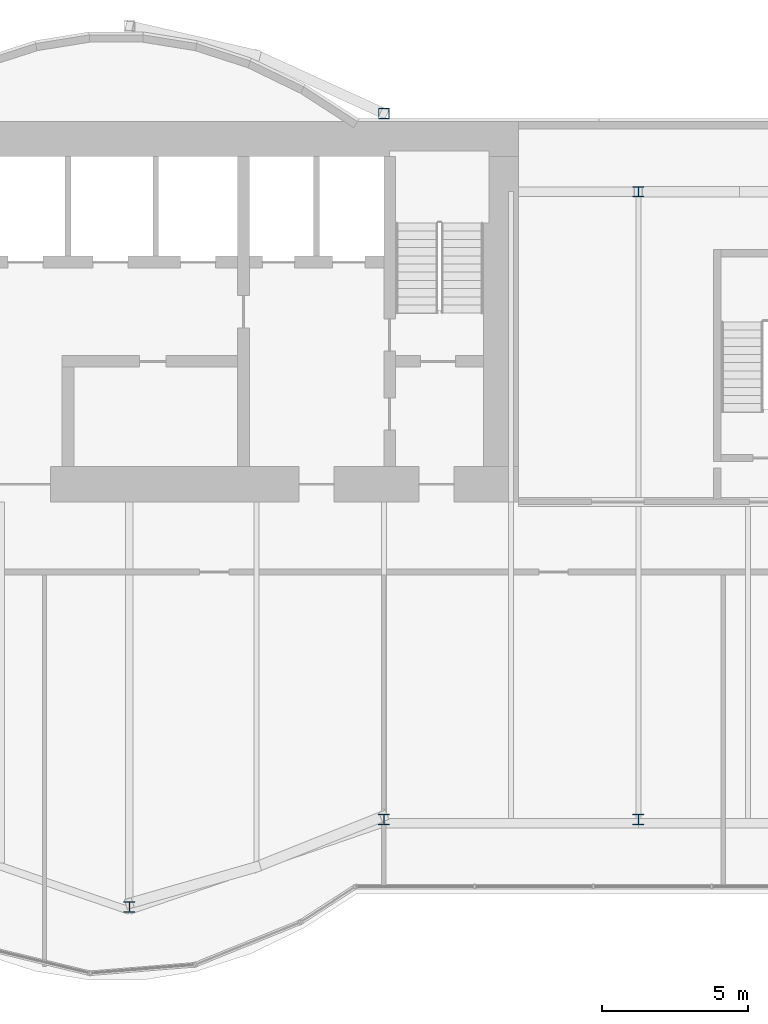
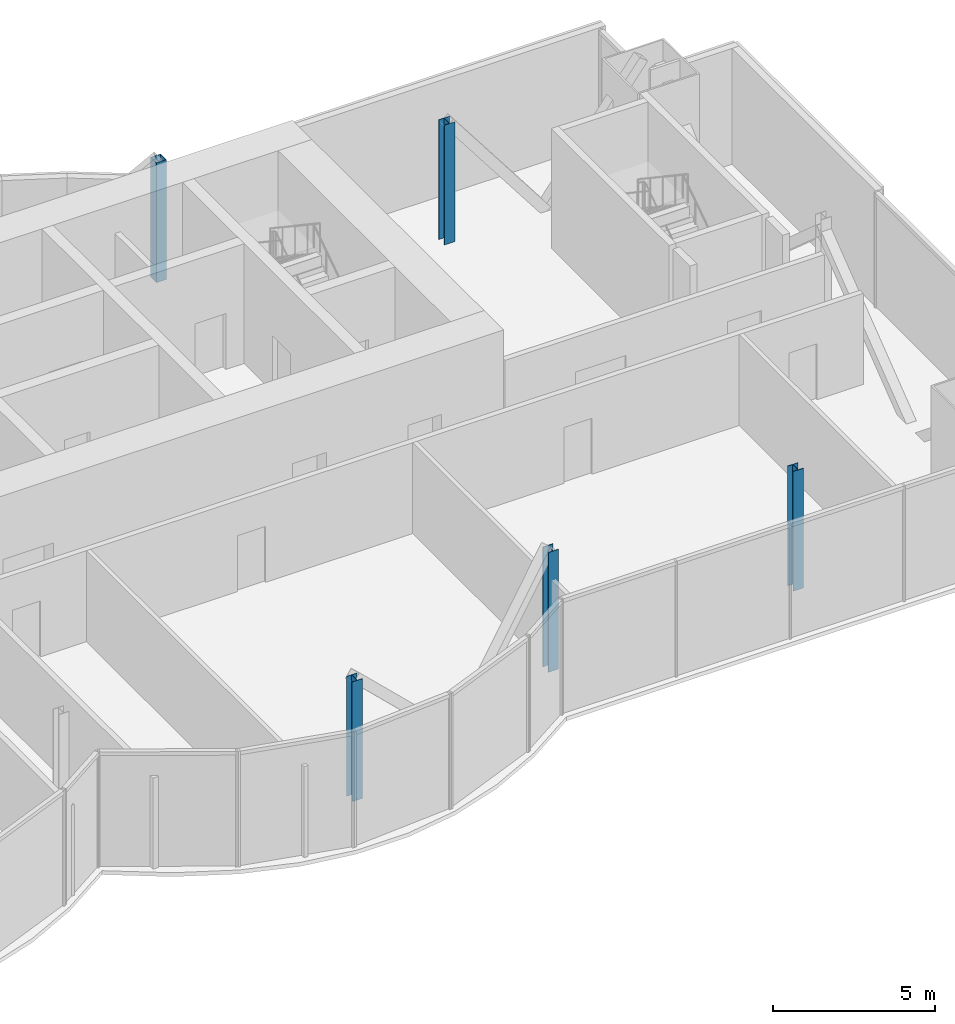
# One storey, part 2 of 18: 5 columns.
"""IFC4 building model written with IfcOpenShell, lengths in metres."""

import ifcopenshell
import ifcopenshell.guid

model = None  # the IFC model being written
_history = None  # IfcOwnerHistory: only IFC2X3 demands one
_inside = {}  # id of a spatial element -> (the spatial element, [elements in it])
_under = {}  # id of a project, library or spatial element -> (it, [spatial elements below it])
_declared = {}  # id of a project -> (the project, [libraries it declares])
_typed = {}  # id of a type object -> (the type object, [elements of that type])
_made_of = {}  # id of a material, layer set ... -> (it, [elements and type objects made of it])


def new_model(schema):
    """Start an empty IFC model of exactly this schema.

    Asked for "IFC4X3", IfcOpenShell would pick the latest addendum, in which some entities
    have other attributes; the version numbers below select the first issue.
    IFC2X3 requires an IfcOwnerHistory on every rooted entity: one is made here for all.
    """
    global model, _history
    if schema == "IFC4X3":
        model = ifcopenshell.file(schema_version=(4, 3, 0, 0))
    else:
        model = ifcopenshell.file(schema=schema)
    _inside.clear()
    _under.clear()
    _declared.clear()
    _typed.clear()
    _made_of.clear()
    _history = None
    if model.schema == "IFC2X3":
        org = make("IfcOrganization", Name="unknown")
        user = make(
            "IfcPersonAndOrganization",
            ThePerson=make("IfcPerson", FamilyName="unknown"),
            TheOrganization=org,
        )
        app = make(
            "IfcApplication",
            ApplicationDeveloper=org,
            Version="unknown",
            ApplicationFullName="unknown",
            ApplicationIdentifier="unknown",
        )
        _history = make(
            "IfcOwnerHistory",
            OwningUser=user,
            OwningApplication=app,
            ChangeAction="ADDED",
            CreationDate=0,
        )
    return model


def make(cls, **values):
    """One entity of the class cls with the attributes given. An attribute that is None is left unset."""
    return model.create_entity(
        cls, **{name: value for name, value in values.items() if value is not None}
    )


def rooted(cls, **values):
    """An entity with a GlobalId (a new one), such as an element, a storey or a relation."""
    return make(cls, GlobalId=ifcopenshell.guid.new(), OwnerHistory=_history, **values)


def si_unit(unit_type, name, prefix=None):
    """IfcSIUnit, for example si_unit("LENGTHUNIT", "METRE", prefix="MILLI")."""
    return make("IfcSIUnit", UnitType=unit_type, Prefix=prefix, Name=name)


def assignment(units):
    """IfcUnitAssignment: the units of a project."""
    return None if units is None else make("IfcUnitAssignment", Units=units)


def point(xyz):
    """IfcCartesianPoint."""
    return None if xyz is None else make("IfcCartesianPoint", Coordinates=xyz)


def direction(xyz):
    """IfcDirection."""
    return None if xyz is None else make("IfcDirection", DirectionRatios=xyz)


def frame(location, z_axis=None, x_axis=None):
    """IfcAxis2Placement3D, a coordinate frame: its origin and axes. An axis left out is left unset."""
    return make(
        "IfcAxis2Placement3D",
        Location=point(location),
        Axis=direction(z_axis),
        RefDirection=direction(x_axis),
    )


def frame_2d(location, x_axis=None):
    """IfcAxis2Placement2D, a coordinate frame in the plane: its origin and x axis."""
    return make(
        "IfcAxis2Placement2D", Location=point(location), RefDirection=direction(x_axis)
    )


def origin():
    """The frame at (0, 0, 0) with its axes left unset."""
    return frame((0.0, 0.0, 0.0))


def origin_2d():
    """The frame at (0, 0) in the plane with its x axis left unset."""
    return frame_2d((0.0, 0.0))


def place(relative_to, where):
    """IfcLocalPlacement: puts the frame where relative to a parent placement (None: the world)."""
    return make(
        "IfcLocalPlacement", PlacementRelTo=relative_to, RelativePlacement=where
    )


def context(
    kind, dimensions, precision=None, world=None, true_north=None, identifier=None
):
    """IfcGeometricRepresentationContext, for example the 3D "Model" context."""
    return make(
        "IfcGeometricRepresentationContext",
        ContextIdentifier=identifier,
        ContextType=kind,
        CoordinateSpaceDimension=dimensions,
        Precision=precision,
        WorldCoordinateSystem=world,
        TrueNorth=true_north,
    )


def subcontext(parent, identifier, kind, view, scale=None):
    """IfcGeometricRepresentationSubContext, for example "Body" below "Model"."""
    return make(
        "IfcGeometricRepresentationSubContext",
        ContextIdentifier=identifier,
        ContextType=kind,
        ParentContext=parent,
        TargetScale=scale,
        TargetView=view,
    )


def project(units=None, contexts=None):
    """IfcProject with its units and contexts."""
    return rooted(
        "IfcProject",
        Name="project",
        RepresentationContexts=contexts,
        UnitsInContext=assignment(units),
    )


def spatial(cls, under=None, at=None, **own):
    """A site, building, storey or space (cls), placed at a placement, below another one or the project."""
    s = rooted(cls, ObjectPlacement=at, **own)
    if under is not None:
        _under.setdefault(under.id(), (under, []))[1].append(s)
    return s


def profile(cls, at=None, kind="AREA", **sizes):
    """A parametric profile (cls). Its sizes go by their IFC names, for example OverallWidth=200.0."""
    return make(cls, ProfileType=kind, Position=at, **sizes)


def hollow_rectangle(**sizes):
    """IfcRectangleHollowProfileDef."""
    return profile("IfcRectangleHollowProfileDef", **sizes)


def i_section(**sizes):
    """IfcIShapeProfileDef."""
    return profile("IfcIShapeProfileDef", **sizes)


def extrude(swept, where, along, depth):
    """IfcExtrudedAreaSolid: the profile swept, set in the frame where, extruded along a direction by depth."""
    return make(
        "IfcExtrudedAreaSolid",
        SweptArea=swept,
        Position=where,
        ExtrudedDirection=direction(along),
        Depth=depth,
    )


def shape(context_of_items, identifier, shape_type, items):
    """IfcShapeRepresentation: the items that make up one representation, for example the "Body"."""
    return make(
        "IfcShapeRepresentation",
        ContextOfItems=context_of_items,
        RepresentationIdentifier=identifier,
        RepresentationType=shape_type,
        Items=items,
    )


def material(Name=None, Category=None):
    """IfcMaterial."""
    return make("IfcMaterial", Name=Name, Category=Category)


def material_profile(
    of_material, cross_section, Name=None, Category=None, Priority=None
):
    """IfcMaterialProfile: a cross section and its material."""
    return make(
        "IfcMaterialProfile",
        Name=Name,
        Material=of_material,
        Profile=cross_section,
        Priority=Priority,
        Category=Category,
    )


def profile_set(profiles, Name=None, composite=None):
    """IfcMaterialProfileSet."""
    return make(
        "IfcMaterialProfileSet",
        Name=Name,
        MaterialProfiles=profiles,
        CompositeProfile=composite,
    )


def made_of(thing, what):
    """Note that an element or type object is made of a material, layer set ...; save() writes the relation."""
    if what is not None:
        _made_of.setdefault(what.id(), (what, []))[1].append(thing)
    return thing


def type_object(cls, material=None, **own):
    """A type object (cls), such as IfcWallType, which elements share."""
    return made_of(rooted(cls, **own), material)


def element(
    cls,
    number,
    at=None,
    inside=None,
    cuts=None,
    type_object=None,
    material=None,
    context=None,
    identifier="Body",
    shape_type=None,
    held_by="IfcProductDefinitionShape",
    body=None,
    shapes=None,
    **own,
):
    """One element of the class cls, such as IfcWall. Its Tag is "e" and its number.

    at: its placement. inside: the storey or other place that contains it. cuts: it is an
    opening in that element (IfcRelVoidsElement). A single representation is given by context,
    identifier, shape_type and body (its items); several are given by shapes. held_by: the class
    of the entity that holds the representations. save() writes the other relations.
    """
    e = rooted(cls, Tag="e%d" % number, ObjectPlacement=at, **own)
    if body is not None:
        shapes = [shape(context, identifier, shape_type, body)]
    if shapes is not None:
        e.Representation = make(held_by, Representations=shapes)
    if inside is not None:
        _inside.setdefault(inside.id(), (inside, []))[1].append(e)
    if cuts is not None:
        rooted(
            "IfcRelVoidsElement", RelatingBuildingElement=cuts, RelatedOpeningElement=e
        )
    if type_object is not None:
        _typed.setdefault(type_object.id(), (type_object, []))[1].append(e)
    return made_of(e, material)


def aggregate(whole, parts):
    """IfcRelAggregates: a whole, such as a stair, and the parts it consists of."""
    return rooted("IfcRelAggregates", RelatingObject=whole, RelatedObjects=parts)


def save(model, path):
    """Write the relations noted so far, then the file.

    IfcRelAggregates (storeys below a building ...), IfcRelContainedInSpatialStructure (elements
    in a storey), IfcRelDefinesByType, IfcRelAssociatesMaterial and IfcRelDeclares: one each for
    every whole, place, type object, material and project.
    """
    for whole, parts in _under.values():
        aggregate(whole, parts)
    for where, things in _inside.values():
        rooted(
            "IfcRelContainedInSpatialStructure",
            RelatedElements=things,
            RelatingStructure=where,
        )
    for kind, things in _typed.values():
        rooted("IfcRelDefinesByType", RelatedObjects=things, RelatingType=kind)
    for what, things in _made_of.values():
        rooted("IfcRelAssociatesMaterial", RelatedObjects=things, RelatingMaterial=what)
    for by, libraries in _declared.values():
        rooted("IfcRelDeclares", RelatingContext=by, RelatedDefinitions=libraries)
    model.write(path)


model = new_model("IFC4")

# Units and contexts
model_context = context("Model", 3, precision=1e-05, world=origin(), true_north=direction((0.0, 1.0)))
body_context = subcontext(model_context, "Body", "Model", "MODEL_VIEW")
ifc_project = project(units=[si_unit("LENGTHUNIT", "METRE"), si_unit("AREAUNIT", "SQUARE_METRE"), si_unit("VOLUMEUNIT", "CUBIC_METRE"), si_unit("PLANEANGLEUNIT", "RADIAN"), si_unit("MASSUNIT", "GRAM", prefix="KILO")], contexts=[model_context])

# Site, building, storey
site_placement = place(None, origin())
site = spatial("IfcSite", under=ifc_project, at=site_placement, CompositionType="ELEMENT")
building_placement = place(site_placement, origin())
building = spatial("IfcBuilding", under=site, at=building_placement, Name="Bicima Exchange Tower", CompositionType="ELEMENT")
storey_placement = place(building_placement, frame((0.0, 0.0, 311.0)))
storey = spatial("IfcBuildingStorey", under=building, at=storey_placement, Name="L70", CompositionType="ELEMENT", Elevation=311.0)

# Columns
ifc_material_1 = material(Name="Steel ASTM A992 Gr 50", Category="steel")
ifc_material_profile_1 = material_profile(ifc_material_1, i_section(OverallWidth=0.368408203125, OverallDepth=0.355712890625, WebThickness=0.01123046875, FlangeThickness=0.01806640625, at=origin_2d()))
ifc_profile_set_1 = profile_set([ifc_material_profile_1], Name="Steel ASTM A992 Gr 50")
column_type_1 = type_object("IfcColumnType", Name="Perimeter column W14x90", PredefinedType="COLUMN", material=ifc_profile_set_1)
for number, where, z_axis, x_axis, name in (
    (1, (8.699951171875, -26.85302734375, 0.0), (0.0, 0.0, 1.0), (1.0, 0.0, 0.0), "Perimeter column grav+8.7f"),
    (2, (17.39990234375, -23.862060546875, 0.0), (0.0, 0.0, 1.0), (1.0, 0.0, 0.0), "Perimeter column grav+17.4f"),
    (3, (26.10009765625, -23.862060546875, 0.0), (0.0, 0.0, 1.0), (1.0, 0.0, 0.0), "Perimeter column grav+26.1f"),
    (4, (26.10009765625, -2.39990234375, 0.0), (0.0, 0.0, 1.0), (1.0, 0.0, 0.0), "Perimeter column grav+26.1r"),
):
    element("IfcColumn", number, at=place(storey_placement, frame(where, z_axis=z_axis, x_axis=x_axis)), inside=storey, type_object=column_type_1, Name=name, PredefinedType="COLUMN", context=body_context, shape_type="SweptSolid", body=[
        extrude(i_section(OverallWidth=0.368408203125, OverallDepth=0.355712890625, WebThickness=0.01123046875, FlangeThickness=0.01806640625, at=origin_2d()), origin(), (0.0, 0.0, 1.0), 4.5),
    ])
ifc_material_2 = material(Name="Steel ASTM A572 Gr 50", Category="steel")
ifc_material_profile_2 = material_profile(ifc_material_2, hollow_rectangle(XDim=0.355712890625, YDim=0.355712890625, WallThickness=0.01171875, at=origin_2d()))
ifc_profile_set_2 = profile_set([ifc_material_profile_2], Name="Steel ASTM A572 Gr 50")
column_type_2 = type_object("IfcColumnType", Name="Rear pilaster HSS14x14x1/2", PredefinedType="COLUMN", material=ifc_profile_set_2)
column_placement = place(storey_placement, frame((17.39990234375, 0.278076171875, 0.0), z_axis=(0.0, 0.0, 1.0), x_axis=(1.0, 0.0, 0.0)))
element("IfcColumn", 5, at=column_placement, inside=storey, type_object=column_type_2, Name="Rear pilaster rexo+17.4r", PredefinedType="COLUMN", context=body_context, shape_type="SweptSolid", body=[
    extrude(hollow_rectangle(XDim=0.355712890625, YDim=0.355712890625, WallThickness=0.01171875, at=origin_2d()), origin(), (0.0, 0.0, 1.0), 4.5),
])

save(model, "model.ifc")
